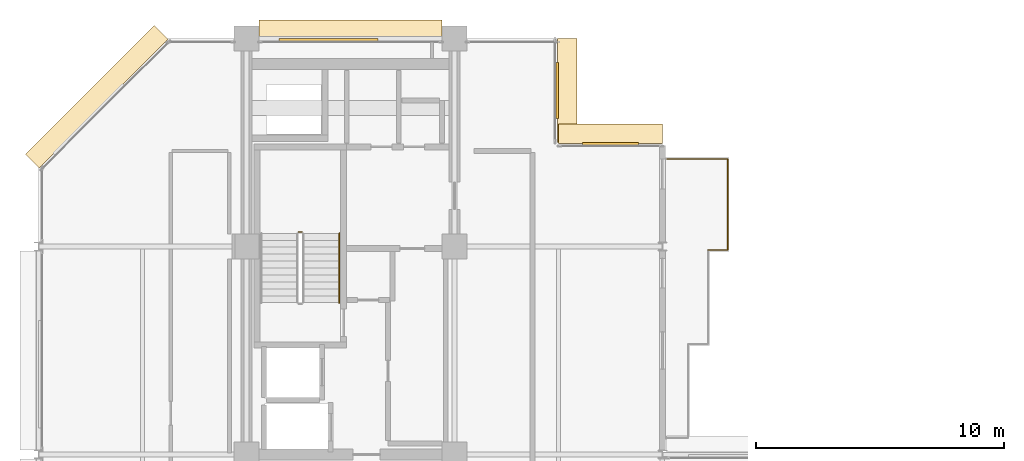
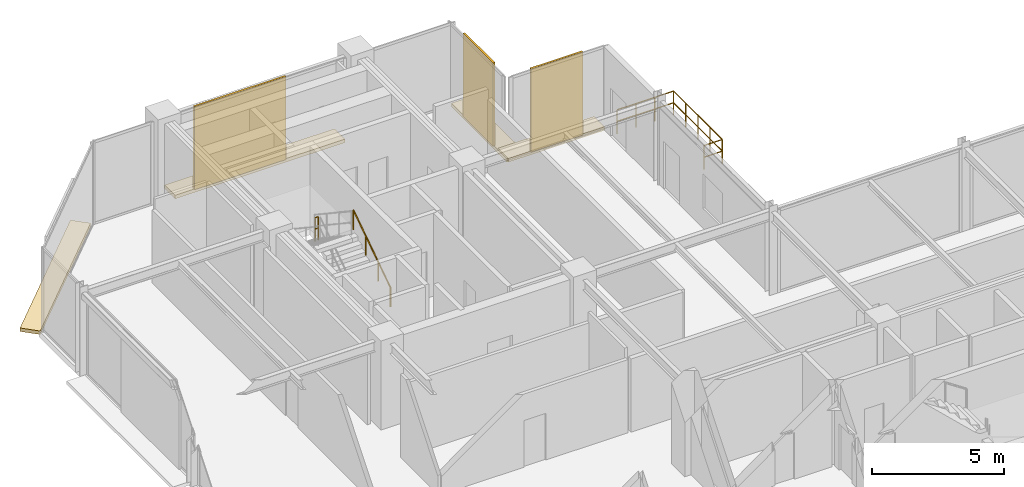
# One storey, part 26 of 26: 7 coverings, 5 railings.
"""IFC4 building model written with IfcOpenShell, lengths in metres."""

from ifc_helpers import new_model, si_unit, direction, frame, origin, origin_2d, place, context, subcontext, project, spatial, polyline, rectangle, circle, outline, extrude, material, layer, layer_set, type_object, element, save


model = new_model("IFC4")

# Units and contexts
model_context = context("Model", 3, precision=1e-05, world=origin(), true_north=direction((0.0, 1.0)))
body_context = subcontext(model_context, "Body", "Model", "MODEL_VIEW")
ifc_project = project(units=[si_unit("LENGTHUNIT", "METRE"), si_unit("AREAUNIT", "SQUARE_METRE"), si_unit("VOLUMEUNIT", "CUBIC_METRE"), si_unit("PLANEANGLEUNIT", "RADIAN"), si_unit("MASSUNIT", "GRAM", prefix="KILO")], contexts=[model_context])

# Site, building, storey
site_placement = place(None, origin())
site = spatial("IfcSite", under=ifc_project, at=site_placement, CompositionType="ELEMENT")
building_placement = place(site_placement, origin())
building = spatial("IfcBuilding", under=site, at=building_placement, Name="Nerrivon Quay Data Exchange", CompositionType="ELEMENT")
storey_placement = place(building_placement, frame((0.0, 0.0, 228.800048828125)))
storey = spatial("IfcBuildingStorey", under=building, at=storey_placement, Name="L54", CompositionType="ELEMENT", Elevation=228.800048828125)

# Coverings
ifc_material_1 = material(Name="Architectural terracotta ceramic", Category="masonry")
ifc_layer_1 = layer(ifc_material_1, 0.159912109375)
ifc_layer_set_1 = layer_set([ifc_layer_1], Name="Architectural terracotta ceramic")
covering_type_1 = type_object("IfcCoveringType", Name="COV-BLD-TERR", PredefinedType="CLADDING", material=ifc_layer_set_1)
covering_1_placement = place(storey_placement, frame((0.0, 0.0, -0.16015625)))
element("IfcCovering", 1, at=covering_1_placement, inside=storey, type_object=covering_type_1, Name="L54 Horizontal Terracotta SOLAR SCREEN Blade", PredefinedType="CLADDING", context=body_context, shape_type="SweptSolid", body=[
    extrude(outline(polyline([(0.0283203125, 36.771728515625), (5.228271484375, 41.9716796875), (4.669677734375, 42.5302734375), (-0.5302734375, 37.330322265625), (0.0283203125, 36.771728515625)])), origin(), (0.0, 0.0, 1.0), 0.16015625),
])
covering_2_placement = place(storey_placement, frame((0.0, 0.0, -0.16015625)))
element("IfcCovering", 2, at=covering_2_placement, inside=storey, type_object=covering_type_1, Name="L54 Horizontal Terracotta SOLAR SCREEN Blade", PredefinedType="CLADDING", context=body_context, shape_type="SweptSolid", body=[
    extrude(outline(polyline([(8.89990234375, 41.9599609375), (16.300048828125, 41.9599609375), (16.300048828125, 42.75), (8.89990234375, 42.75), (8.89990234375, 41.9599609375)])), origin(), (0.0, 0.0, 1.0), 0.16015625),
])
covering_3_placement = place(storey_placement, frame((0.0, 0.0, -0.16015625)))
element("IfcCovering", 3, at=covering_3_placement, inside=storey, type_object=covering_type_1, Name="L54 Horizontal Terracotta SOLAR SCREEN Blade", PredefinedType="CLADDING", context=body_context, shape_type="SweptSolid", body=[
    extrude(outline(polyline([(20.9599609375, 42.0), (20.9599609375, 37.800048828125), (21.75, 37.800048828125), (21.75, 42.0), (20.9599609375, 42.0)])), origin(), (0.0, 0.0, 1.0), 0.16015625),
])
covering_4_placement = place(storey_placement, frame((0.0, 0.0, -0.16015625)))
element("IfcCovering", 4, at=covering_4_placement, inside=storey, type_object=covering_type_1, Name="L54 Horizontal Terracotta SOLAR SCREEN Blade", PredefinedType="CLADDING", context=body_context, shape_type="SweptSolid", body=[
    extrude(outline(polyline([(21.0, 37.760009765625), (25.199951171875, 37.760009765625), (25.199951171875, 38.550048828125), (21.0, 38.550048828125), (21.0, 37.760009765625)])), origin(), (0.0, 0.0, 1.0), 0.16015625),
])
ifc_layer_2 = layer(ifc_material_1, 0.090087890625)
ifc_layer_set_2 = layer_set([ifc_layer_2], Name="Architectural terracotta ceramic")
covering_type_2 = type_object("IfcCoveringType", Name="COV-SCR-TERR", PredefinedType="CLADDING", material=ifc_layer_set_2)
covering_5_placement = place(storey_placement, frame((11.7119140625, 41.955078125, 0.0), z_axis=(0.0, 0.0, 1.0), x_axis=(1.0, 0.0, 0.0)))
element("IfcCovering", 5, at=covering_5_placement, inside=storey, type_object=covering_type_2, Name="L54 Perforated Terracotta SOLAR SCREEN Cassette", PredefinedType="CLADDING", context=body_context, shape_type="SweptSolid", body=[
    extrude(rectangle(XDim=3.99609375, YDim=0.090087890625, at=origin_2d()), origin(), (0.0, 0.0, 1.0), 3.824951171875),
])
for number, where, z_axis, x_axis, name in (
    (6, (20.955078125, 39.89990234375, 0.0), (0.0, 0.0, 1.0), (0.0, -1.0, 0.0), "L54 Perforated Terracotta SOLAR SCREEN Cassette"),
    (7, (23.10009765625, 37.7548828125, 0.0), (0.0, 0.0, 1.0), (1.0, 0.0, 0.0), "L54 Perforated Terracotta SOLAR SCREEN Cassette"),
):
    element("IfcCovering", number, at=place(storey_placement, frame(where, z_axis=z_axis, x_axis=x_axis)), inside=storey, type_object=covering_type_2, Name=name, PredefinedType="CLADDING", context=body_context, shape_type="SweptSolid", body=[
        extrude(rectangle(XDim=2.26806640625, YDim=0.090087890625, at=origin_2d()), origin(), (0.0, 0.0, 1.0), 3.824951171875),
    ])

# Railings
ifc_material_2 = material(Name="Steel Grade C350L0 (350 MPa)", Category="steel")
railing_type_1 = type_object("IfcRailingType", Name="RAIL-GUARD-GR2", PredefinedType="BALUSTRADE", material=ifc_material_2)
railing_1_placement = place(storey_placement, frame((25.3798828125, 37.139892578125, 0.0)))
element("IfcRailing", 8, at=railing_1_placement, inside=storey, type_object=railing_type_1, Name="L54 Verandah Balcony Guard 1.3 1", PredefinedType="BALUSTRADE", context=body_context, shape_type="SweptSolid", body=[
    extrude(circle(Radius=0.02392578125, at=origin_2d()), frame((0.0, 0.0, 1.09619140625), z_axis=(1.0, 0.0, 0.0), x_axis=(0.0, 1.0, 0.0)), (0.0, 0.0, 1.0), 2.460205078125),
    extrude(circle(Radius=0.02392578125, at=origin_2d()), frame((0.0, 0.0, 0.56005859375), z_axis=(1.0, 0.0, 0.0), x_axis=(0.0, 1.0, 0.0)), (0.0, 0.0, 1.0), 2.460205078125),
    extrude(circle(Radius=0.02099609375, at=origin_2d()), origin(), (0.0, 0.0, 1.0), 1.072021484375),
    extrude(circle(Radius=0.02099609375, at=origin_2d()), frame((0.820068359375, 0.0, 0.0)), (0.0, 0.0, 1.0), 1.072021484375),
    extrude(circle(Radius=0.02099609375, at=origin_2d()), frame((1.64013671875, 0.0, 0.0)), (0.0, 0.0, 1.0), 1.072021484375),
    extrude(circle(Radius=0.02099609375, at=origin_2d()), frame((2.460205078125, 0.0, 0.0)), (0.0, 0.0, 1.0), 1.072021484375),
])
railing_2_placement = place(storey_placement, frame((27.840087890625, 37.139892578125, 0.0)))
element("IfcRailing", 9, at=railing_2_placement, inside=storey, type_object=railing_type_1, Name="L54 Verandah Balcony Guard 1.4 1", PredefinedType="BALUSTRADE", context=body_context, shape_type="SweptSolid", body=[
    extrude(circle(Radius=0.02392578125, at=origin_2d()), frame((0.0, 0.0, 1.09619140625), z_axis=(0.0, -1.0, 0.0), x_axis=(1.0, 0.0, 0.0)), (0.0, 0.0, 1.0), 3.679931640625),
    extrude(circle(Radius=0.02392578125, at=origin_2d()), frame((0.0, 0.0, 0.56005859375), z_axis=(0.0, -1.0, 0.0), x_axis=(1.0, 0.0, 0.0)), (0.0, 0.0, 1.0), 3.679931640625),
    extrude(circle(Radius=0.02099609375, at=origin_2d()), origin(), (0.0, 0.0, 1.0), 1.072021484375),
    extrude(circle(Radius=0.02099609375, at=origin_2d()), frame((0.0, -0.919921875, 0.0)), (0.0, 0.0, 1.0), 1.072021484375),
    extrude(circle(Radius=0.02099609375, at=origin_2d()), frame((0.0, -1.83984375, 0.0)), (0.0, 0.0, 1.0), 1.072021484375),
    extrude(circle(Radius=0.02099609375, at=origin_2d()), frame((0.0, -2.760009765625, 0.0)), (0.0, 0.0, 1.0), 1.072021484375),
    extrude(circle(Radius=0.02099609375, at=origin_2d()), frame((0.0, -3.679931640625, 0.0)), (0.0, 0.0, 1.0), 1.072021484375),
])
railing_3_placement = place(storey_placement, frame((27.840087890625, 33.4599609375, 0.0)))
element("IfcRailing", 10, at=railing_3_placement, inside=storey, type_object=railing_type_1, Name="L54 Verandah Balcony Guard 1.5 1", PredefinedType="BALUSTRADE", context=body_context, shape_type="SweptSolid", body=[
    extrude(circle(Radius=0.02392578125, at=origin_2d()), frame((0.0, 0.0, 1.09619140625), z_axis=(-1.0, 0.0, 0.0), x_axis=(0.0, -1.0, 0.0)), (0.0, 0.0, 1.0), 0.800048828125),
    extrude(circle(Radius=0.02392578125, at=origin_2d()), frame((0.0, 0.0, 0.56005859375), z_axis=(-1.0, 0.0, 0.0), x_axis=(0.0, -1.0, 0.0)), (0.0, 0.0, 1.0), 0.800048828125),
    extrude(circle(Radius=0.02099609375, at=origin_2d()), origin(), (0.0, 0.0, 1.0), 1.072021484375),
    extrude(circle(Radius=0.02099609375, at=origin_2d()), frame((-0.800048828125, 0.0, 0.0)), (0.0, 0.0, 1.0), 1.072021484375),
])
railing_type_2 = type_object("IfcRailingType", Name="RAIL-HAND-HR1", PredefinedType="HANDRAIL", material=ifc_material_2)
railing_4_placement = place(storey_placement, frame((12.14990234375, 31.330078125, 0.186279296875)))
element("IfcRailing", 11, at=railing_4_placement, inside=storey, type_object=railing_type_2, Name="L54 ST01 stair handrail 1", PredefinedType="HANDRAIL", context=body_context, shape_type="SweptSolid", body=[
    extrude(circle(Radius=0.02392578125, at=origin_2d()), frame((0.0, 0.0, 0.8759765625), z_axis=(0.0, 0.832429786209, 0.554130536094), x_axis=(-1.0, 0.0, 0.0)), (0.0, 0.0, 1.0), 3.363525390625),
    extrude(circle(Radius=0.02099609375, at=origin_2d()), origin(), (0.0, 0.0, 1.0), 0.851806640625),
    extrude(circle(Radius=0.02099609375, at=origin_2d()), frame((0.0, 0.933349609375, 0.621337890625)), (0.0, 0.0, 1.0), 0.851806640625),
    extrude(circle(Radius=0.02099609375, at=origin_2d()), frame((0.0, 1.866455078125, 1.242431640625)), (0.0, 0.0, 1.0), 0.851806640625),
    extrude(circle(Radius=0.02099609375, at=origin_2d()), frame((0.0, 2.7998046875, 1.86376953125)), (0.0, 0.0, 1.0), 0.851806640625),
])
railing_type_3 = type_object("IfcRailingType", Name="RAIL-STAIR-GR1", PredefinedType="BALUSTRADE", material=ifc_material_2)
railing_5_placement = place(storey_placement, frame((10.64990234375, 34.179931640625, 2.050048828125)))
element("IfcRailing", 12, at=railing_5_placement, inside=storey, type_object=railing_type_3, Name="L54 ST01 stair guard 2", PredefinedType="BALUSTRADE", context=body_context, shape_type="SweptSolid", body=[
    extrude(circle(Radius=0.02392578125, at=origin_2d()), frame((0.0, 0.0, 1.076171875), z_axis=(-1.0, 0.0, 0.0), x_axis=(0.0, -1.0, 0.0)), (0.0, 0.0, 1.0), 0.14990234375),
    extrude(circle(Radius=0.02392578125, at=origin_2d()), frame((0.0, 0.0, 0.550048828125), z_axis=(-1.0, 0.0, 0.0), x_axis=(0.0, -1.0, 0.0)), (0.0, 0.0, 1.0), 0.14990234375),
    extrude(circle(Radius=0.02099609375, at=origin_2d()), origin(), (0.0, 0.0, 1.0), 1.052001953125),
    extrude(circle(Radius=0.02099609375, at=origin_2d()), frame((-0.14990234375, 0.0, 0.0)), (0.0, 0.0, 1.0), 1.052001953125),
])

save(model, "model.ifc")
